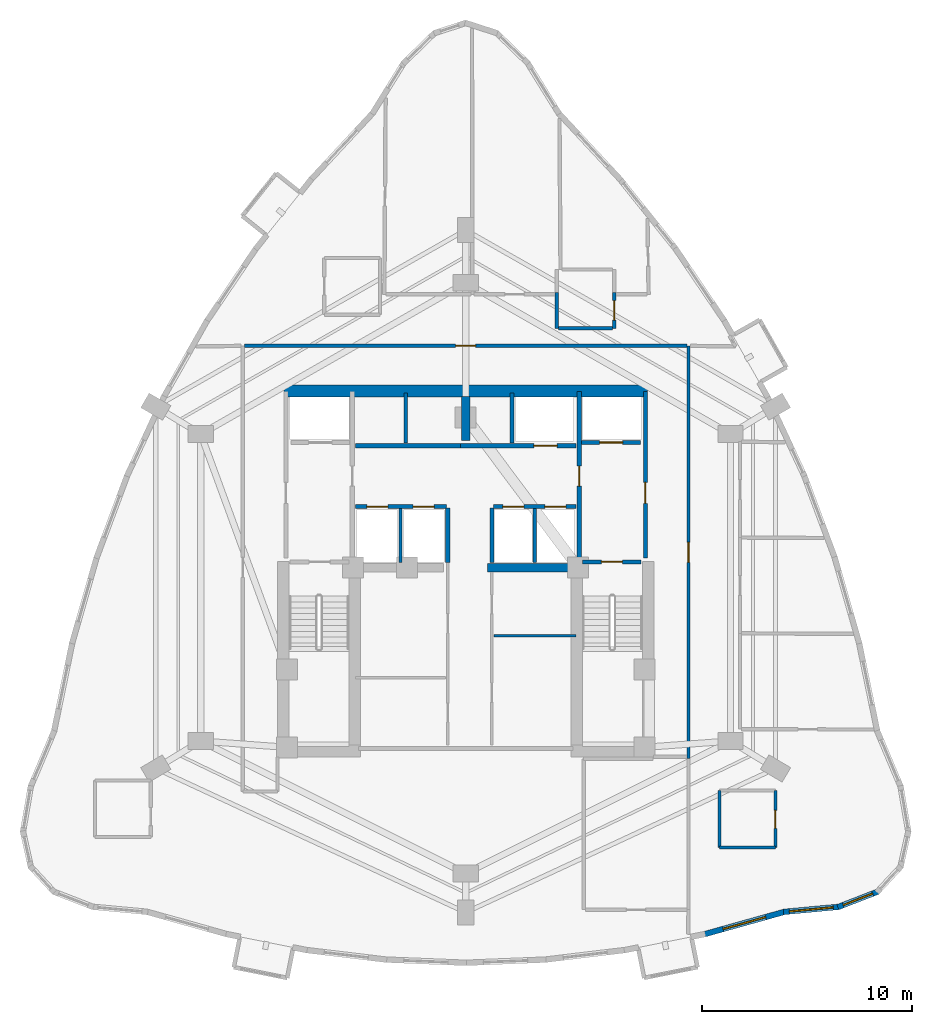
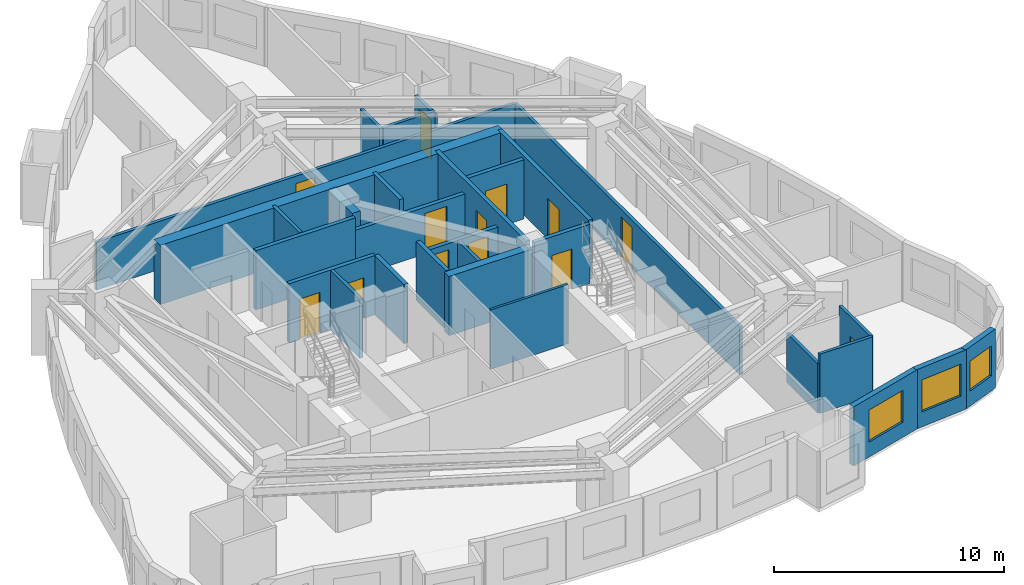
# One storey, part 6 of 9: 29 walls, 13 doors, 3 windows, 16 openings.
"""IFC4 building model written with IfcOpenShell, lengths in metres."""

from ifc_helpers import new_model, si_unit, direction, frame, frame_2d, origin, place, context, subcontext, project, spatial, rectangle, extrude, material, layer, layer_set, type_object, element, fill, save


model = new_model("IFC4")

# Units and contexts
model_context = context("Model", 3, precision=1e-05, world=origin(), true_north=direction((0.0, 1.0)))
body_context = subcontext(model_context, "Body", "Model", "MODEL_VIEW")
ifc_project = project(units=[si_unit("LENGTHUNIT", "METRE"), si_unit("AREAUNIT", "SQUARE_METRE"), si_unit("VOLUMEUNIT", "CUBIC_METRE"), si_unit("PLANEANGLEUNIT", "RADIAN"), si_unit("MASSUNIT", "GRAM", prefix="KILO")], contexts=[model_context])

# Site, building, storey
site_placement = place(None, origin())
site = spatial("IfcSite", under=ifc_project, at=site_placement, CompositionType="ELEMENT")
building_placement = place(site_placement, origin())
building = spatial("IfcBuilding", under=site, at=building_placement, Name="Miruveldt Soraemaru", CompositionType="ELEMENT")
storey_placement = place(building_placement, frame((0.0, 0.0, 180.89990234375)))
storey = spatial("IfcBuildingStorey", under=building, at=storey_placement, Name="L50", CompositionType="ELEMENT", Elevation=180.89990234375)

# Walls
ifc_material_1 = material(Name="Concrete C70/85 (70 MPa)", Category="concrete")
ifc_layer_1 = layer(ifc_material_1, 0.5, Name="Concrete C70/85 (70 MPa)", Category="concrete")
ifc_layer_set_1 = layer_set([ifc_layer_1], Name="Concrete C70/85 (70 MPa)")
wall_type_1 = type_object("IfcWallType", Name="WALL-BW-500", PredefinedType="SHEAR", material=ifc_layer_set_1)
wall_1_placement = place(storey_placement, frame((44.0, 50.10009765625, 0.0), z_axis=(0.0, 0.0, 1.0), x_axis=(0.0, 1.0, 0.0)))
element("IfcWall", 1, at=wall_1_placement, inside=storey, type_object=wall_type_1, Name="L50 Core Buttress Shear Wall BN", PredefinedType="SHEAR", context=body_context, shape_type="SweptSolid", body=[
    extrude(rectangle(XDim=2.099853515625, YDim=0.39990234375, at=frame_2d((1.0498046875, 0.0))), origin(), (0.0, 0.0, 1.0), 3.150146484375),
])
wall_2_placement = place(storey_placement, frame((45.050048828125, 44.050048828125, 0.0), z_axis=(0.0, 0.0, 1.0), x_axis=(1.0, 0.0, 0.0)))
element("IfcWall", 2, at=wall_2_placement, inside=storey, type_object=wall_type_1, Name="L50 Core Buttress Shear Wall BE", PredefinedType="SHEAR", context=body_context, shape_type="SweptSolid", body=[
    extrude(rectangle(XDim=4.199951171875, YDim=0.39990234375, at=frame_2d((2.10009765625, 0.0))), origin(), (0.0, 0.0, 1.0), 3.150146484375),
])
ifc_layer_2 = layer(ifc_material_1, 0.550048828125, Name="Concrete C70/85 (70 MPa)", Category="concrete")
ifc_layer_set_2 = layer_set([ifc_layer_2], Name="Concrete C70/85 (70 MPa)")
wall_type_2 = type_object("IfcWallType", Name="WALL-CW-550", PredefinedType="SHEAR", material=ifc_layer_set_2)
wall_3_placement = place(storey_placement, frame((35.35009765625, 52.449951171875, 0.0), z_axis=(0.0, 0.0, 1.0), x_axis=(1.0, 0.0, 0.0)))
element("IfcWall", 3, at=wall_3_placement, inside=storey, type_object=wall_type_2, Name="L50 Central Core Shear Wall N", PredefinedType="SHEAR", context=body_context, shape_type="SweptSolid", body=[
    extrude(rectangle(XDim=17.2998046875, YDim=0.550048828125, at=frame_2d((8.64990234375, 0.0))), origin(), (0.0, 0.0, 1.0), 3.150146484375),
])

# Wall, opening, window
ifc_material_2 = material(Name="Precast concrete C45/55 (45 MPa)", Category="concrete")
ifc_layer_3 = layer(ifc_material_2, 0.27001953125, Name="Precast concrete C45/55 (45 MPa)", Category="concrete")
ifc_layer_set_3 = layer_set([ifc_layer_3], Name="Precast concrete C45/55 (45 MPa)")
wall_type_3 = type_object("IfcWallType", Name="WALL-EXT-PC270", PredefinedType="SOLIDWALL", material=ifc_layer_set_3)
wall_4_placement = place(storey_placement, frame((55.330810546875, 26.601806640625, 0.0), z_axis=(0.0, 0.0, 1.0), x_axis=(0.962980483018, 0.269571121093, 0.0)))
wall_4 = element("IfcWall", 4, at=wall_4_placement, inside=storey, type_object=wall_type_3, Name="L50 Precast Concrete Facade Wall 28", PredefinedType="SOLIDWALL", context=body_context, shape_type="SweptSolid", body=[
    extrude(rectangle(XDim=4.00390625, YDim=0.27001953125, at=frame_2d((2.001953125, 0.0))), origin(), (0.0, 0.0, 1.0), 3.150146484375),
])
opening_1_placement = place(wall_4_placement, frame((0.951904296875, 0.0, 0.800048828125)))
opening_1 = element("IfcOpeningElement", 5, at=opening_1_placement, cuts=wall_4, Name="Opening WN-1", PredefinedType="OPENING", context=body_context, shape_type="SweptSolid", body=[
    extrude(rectangle(XDim=2.10009765625, YDim=1.699951171875, at=frame_2d((1.050048828125, 0.85009765625))), frame((0.0, 0.14501953125, 0.0), z_axis=(0.0, -1.0, 0.0), x_axis=(1.0, 0.0, 0.0)), (0.0, 0.0, 1.0), 0.2900390625),
])
ifc_material_3 = material(Name="Triple low-e insulated glazing", Category="glass")
window_type_1 = type_object("IfcWindowType", Name="WIN-PUNCH-2100x1700", PartitioningType="SINGLE_PANEL", PredefinedType="WINDOW", material=ifc_material_3)
window_1_placement = place(opening_1_placement, origin())
window_1 = element("IfcWindow", 6, at=window_1_placement, inside=storey, type_object=window_type_1, Name="L50 Punched Triple-Glazed Window 28.1", OverallHeight=1.699951171875, OverallWidth=2.10009765625, PartitioningType="SINGLE_PANEL", PredefinedType="WINDOW", context=body_context, shape_type="SweptSolid", body=[
    extrude(rectangle(XDim=2.10009765625, YDim=1.699951171875, at=frame_2d((1.050048828125, 0.85009765625))), frame((0.0, 0.030029296875, 0.0), z_axis=(0.0, -1.0, 0.0), x_axis=(1.0, 0.0, 0.0)), (0.0, 0.0, 1.0), 0.06005859375),
])
fill(opening_1, window_1)

wall_5_placement = place(storey_placement, frame((59.117919921875, 27.668701171875, 0.0), z_axis=(0.0, 0.0, 1.0), x_axis=(0.99576306711, 0.091956044829, 0.0)))
wall_5 = element("IfcWall", 7, at=wall_5_placement, inside=storey, type_object=wall_type_3, Name="L50 Precast Concrete Facade Wall 29", PredefinedType="SOLIDWALL", context=body_context, shape_type="SweptSolid", body=[
    extrude(rectangle(XDim=2.66552734375, YDim=0.27001953125, at=frame_2d((1.332763671875, 0.0))), origin(), (0.0, 0.0, 1.0), 3.150146484375),
])
opening_2_placement = place(wall_5_placement, frame((0.282958984375, 0.0, 0.800048828125)))
opening_2 = element("IfcOpeningElement", 8, at=opening_2_placement, cuts=wall_5, Name="Opening WN-1", PredefinedType="OPENING", context=body_context, shape_type="SweptSolid", body=[
    extrude(rectangle(XDim=2.10009765625, YDim=1.699951171875, at=frame_2d((1.050048828125, 0.85009765625))), frame((0.0, 0.14501953125, 0.0), z_axis=(0.0, -1.0, 0.0), x_axis=(1.0, 0.0, 0.0)), (0.0, 0.0, 1.0), 0.2900390625),
])
window_2_placement = place(opening_2_placement, origin())
window_2 = element("IfcWindow", 9, at=window_2_placement, inside=storey, type_object=window_type_1, Name="L50 Punched Triple-Glazed Window 29.1", OverallHeight=1.699951171875, OverallWidth=2.10009765625, PartitioningType="SINGLE_PANEL", PredefinedType="WINDOW", context=body_context, shape_type="SweptSolid", body=[
    extrude(rectangle(XDim=2.10009765625, YDim=1.699951171875, at=frame_2d((1.050048828125, 0.85009765625))), frame((0.0, 0.030029296875, 0.0), z_axis=(0.0, -1.0, 0.0), x_axis=(1.0, 0.0, 0.0)), (0.0, 0.0, 1.0), 0.06005859375),
])
fill(opening_2, window_2)

wall_6_placement = place(storey_placement, frame((61.70458984375, 27.89794921875, 0.0), z_axis=(0.0, 0.0, 1.0), x_axis=(0.93231051002, 0.361658834964, 0.0)))
wall_6 = element("IfcWall", 10, at=wall_6_placement, inside=storey, type_object=wall_type_3, Name="L50 Precast Concrete Facade Wall 30", PredefinedType="SOLIDWALL", context=body_context, shape_type="SweptSolid", body=[
    extrude(rectangle(XDim=2.050048828125, YDim=0.27001953125, at=frame_2d((1.02490234375, 0.0))), origin(), (0.0, 0.0, 1.0), 3.150146484375),
])
opening_3_placement = place(wall_6_placement, frame((0.27490234375, 0.0, 0.800048828125)))
opening_3 = element("IfcOpeningElement", 11, at=opening_3_placement, cuts=wall_6, Name="Opening WN-3", PredefinedType="OPENING", context=body_context, shape_type="SweptSolid", body=[
    extrude(rectangle(XDim=1.5, YDim=1.60009765625, at=frame_2d((0.75, 0.800048828125))), frame((0.0, 0.14501953125, 0.0), z_axis=(0.0, -1.0, 0.0), x_axis=(1.0, 0.0, 0.0)), (0.0, 0.0, 1.0), 0.2900390625),
])
window_type_2 = type_object("IfcWindowType", Name="WIN-PUNCH-1500x1600", PartitioningType="SINGLE_PANEL", PredefinedType="WINDOW", material=ifc_material_3)
window_3_placement = place(opening_3_placement, origin())
window_3 = element("IfcWindow", 12, at=window_3_placement, inside=storey, type_object=window_type_2, Name="L50 Punched Triple-Glazed Window 30.1", OverallHeight=1.60009765625, OverallWidth=1.5, PartitioningType="SINGLE_PANEL", PredefinedType="WINDOW", context=body_context, shape_type="SweptSolid", body=[
    extrude(rectangle(XDim=1.5, YDim=1.60009765625, at=frame_2d((0.75, 0.800048828125))), frame((0.0, 0.030029296875, 0.0), z_axis=(0.0, -1.0, 0.0), x_axis=(1.0, 0.0, 0.0)), (0.0, 0.0, 1.0), 0.06005859375),
])
fill(opening_3, window_3)

# Wall
ifc_material_4 = material(Name="Gypsum plasterboard lining", Category="gypsum")
ifc_layer_4 = layer(ifc_material_4, 0.1201171875, Name="Gypsum plasterboard lining", Category="gypsum")
ifc_layer_set_4 = layer_set([ifc_layer_4], Name="Gypsum plasterboard lining")
wall_type_4 = type_object("IfcWallType", Name="WALL-INT-P120", PredefinedType="PARTITIONING", material=ifc_layer_set_4)
wall_7_placement = place(storey_placement, frame((45.35009765625, 40.800048828125, 0.0), z_axis=(0.0, 0.0, 1.0), x_axis=(1.0, 0.0, 0.0)))
element("IfcWall", 13, at=wall_7_placement, inside=storey, type_object=wall_type_4, Name="L50 Core Compartment Wall RL-E2H", PredefinedType="PARTITIONING", context=body_context, shape_type="SweptSolid", body=[
    extrude(rectangle(XDim=3.89990234375, YDim=0.1201171875, at=frame_2d((1.949951171875, 0.0))), origin(), (0.0, 0.0, 1.0), 3.150146484375),
])

# Wall, opening, door
ifc_layer_5 = layer(ifc_material_4, 0.14990234375, Name="Gypsum plasterboard lining", Category="gypsum")
ifc_layer_set_5 = layer_set([ifc_layer_5], Name="Gypsum plasterboard lining")
wall_type_5 = type_object("IfcWallType", Name="WALL-INT-PLUMB", PredefinedType="PLUMBINGWALL", material=ifc_layer_set_5)
wall_8_placement = place(storey_placement, frame((58.72998046875, 30.739013671875, 0.0), z_axis=(0.0, 0.0, 1.0), x_axis=(0.0, 1.0, 0.0)))
wall_8 = element("IfcWall", 14, at=wall_8_placement, inside=storey, type_object=wall_type_5, Name="L50 Partition Wall 31", PredefinedType="PLUMBINGWALL", context=body_context, shape_type="SweptSolid", body=[
    extrude(rectangle(XDim=2.699951171875, YDim=0.14990234375, at=frame_2d((1.35009765625, 0.0))), origin(), (0.0, 0.0, 1.0), 3.150146484375),
])
opening_4_placement = place(wall_8_placement, frame((0.909912109375, 0.0, 0.0)))
opening_4 = element("IfcOpeningElement", 15, at=opening_4_placement, cuts=wall_8, Name="Opening FD3", PredefinedType="OPENING", context=body_context, shape_type="SweptSolid", body=[
    extrude(rectangle(XDim=0.85009765625, YDim=2.10009765625, at=frame_2d((0.425048828125, 1.050048828125))), frame((0.0, 0.0849609375, 0.0), z_axis=(0.0, -1.0, 0.0), x_axis=(1.0, 0.0, 0.0)), (0.0, 0.0, 1.0), 0.169921875),
])
ifc_material_5 = material(Name="Anodised aluminium EN AW-6063 T6", Category="aluminium")
door_type_1 = type_object("IfcDoorType", Name="DOOR-FD3-850", OperationType="NOTDEFINED", PredefinedType="DOOR", material=ifc_material_5)
door_1_placement = place(opening_4_placement, origin())
door_1 = element("IfcDoor", 16, at=door_1_placement, inside=storey, type_object=door_type_1, Name="L50 Unit 5003 BTH Door", OperationType="SINGLE_SWING_RIGHT", OverallHeight=2.10009765625, OverallWidth=0.85009765625, PredefinedType="DOOR", context=body_context, shape_type="SweptSolid", body=[
    extrude(rectangle(XDim=0.85009765625, YDim=2.10009765625, at=frame_2d((0.425048828125, 1.050048828125))), frame((0.0, 0.02490234375, 0.0), z_axis=(0.0, -1.0, 0.0), x_axis=(1.0, 0.0, 0.0)), (0.0, 0.0, 1.0), 0.050048828125),
])
fill(opening_4, door_1)

# Walls
wall_9_placement = place(storey_placement, frame((56.080078125, 33.43896484375, 0.0), z_axis=(0.0, 0.0, 1.0), x_axis=(0.0, -1.0, 0.0)))
element("IfcWall", 17, at=wall_9_placement, inside=storey, type_object=wall_type_5, Name="L50 Partition Wall 33", PredefinedType="PLUMBINGWALL", context=body_context, shape_type="SweptSolid", body=[
    extrude(rectangle(XDim=2.699951171875, YDim=0.14990234375, at=frame_2d((1.35009765625, 0.0))), origin(), (0.0, 0.0, 1.0), 2.63818359375),
])
wall_10_placement = place(storey_placement, frame((56.080078125, 30.739013671875, 0.0), z_axis=(0.0, 0.0, 1.0), x_axis=(1.0, 0.0, 0.0)))
element("IfcWall", 18, at=wall_10_placement, inside=storey, type_object=wall_type_5, Name="L50 Partition Wall 34", PredefinedType="PLUMBINGWALL", context=body_context, shape_type="SweptSolid", body=[
    extrude(rectangle(XDim=2.64990234375, YDim=0.14990234375, at=frame_2d((1.324951171875, 0.0))), origin(), (0.0, 0.0, 1.0), 3.150146484375),
])

# Wall, opening, door
ifc_material_6 = material(Name="Concrete C40/50 (40 MPa)", Category="concrete")
ifc_layer_6 = layer(ifc_material_6, 0.159912109375, Name="Concrete C40/50 (40 MPa)", Category="concrete")
ifc_layer_set_6 = layer_set([ifc_layer_6], Name="Concrete C40/50 (40 MPa)")
wall_type_6 = type_object("IfcWallType", Name="WALL-INT-RC160", PredefinedType="SOLIDWALL", material=ifc_layer_set_6)
wall_11_placement = place(storey_placement, frame((54.52001953125, 54.60009765625, 0.0), z_axis=(0.0, 0.0, 1.0), x_axis=(-1.0, 0.0, 0.0)))
wall_11 = element("IfcWall", 19, at=wall_11_placement, inside=storey, type_object=wall_type_6, Name="L50 Partition Wall 1", PredefinedType="SOLIDWALL", context=body_context, shape_type="SweptSolid", body=[
    extrude(rectangle(XDim=21.0400390625, YDim=0.159912109375, at=frame_2d((10.52001953125, 0.0))), origin(), (0.0, 0.0, 1.0), 2.550048828125),
])
opening_5_placement = place(wall_11_placement, frame((10.044921875, 0.0, 0.0)))
opening_5 = element("IfcOpeningElement", 20, at=opening_5_placement, cuts=wall_11, Name="Opening FD2", PredefinedType="OPENING", context=body_context, shape_type="SweptSolid", body=[
    extrude(rectangle(XDim=0.949951171875, YDim=2.14990234375, at=frame_2d((0.47509765625, 1.074951171875))), frame((0.0, 0.08984375, 0.0), z_axis=(0.0, -1.0, 0.0), x_axis=(1.0, 0.0, 0.0)), (0.0, 0.0, 1.0), 0.179931640625),
])
door_type_2 = type_object("IfcDoorType", Name="DOOR-FD2-950", OperationType="NOTDEFINED", PredefinedType="DOOR", material=ifc_material_5)
door_2_placement = place(opening_5_placement, origin())
door_2 = element("IfcDoor", 21, at=door_2_placement, inside=storey, type_object=door_type_2, Name="L50 Unit 5001 Entrance Fire Door", OperationType="SINGLE_SWING_RIGHT", OverallHeight=2.14990234375, OverallWidth=0.949951171875, PredefinedType="DOOR", context=body_context, shape_type="SweptSolid", body=[
    extrude(rectangle(XDim=0.949951171875, YDim=2.14990234375, at=frame_2d((0.47509765625, 1.074951171875))), frame((0.0, 0.02490234375, 0.0), z_axis=(0.0, -1.0, 0.0), x_axis=(1.0, 0.0, 0.0)), (0.0, 0.0, 1.0), 0.050048828125),
])
fill(opening_5, door_2)

wall_12_placement = place(storey_placement, frame((54.60009765625, 34.9599609375, 0.0), z_axis=(0.0, 0.0, 1.0), x_axis=(0.0, 1.0, 0.0)))
wall_12 = element("IfcWall", 22, at=wall_12_placement, inside=storey, type_object=wall_type_6, Name="L50 Partition Wall 5", PredefinedType="SOLIDWALL", context=body_context, shape_type="SweptSolid", body=[
    extrude(rectangle(XDim=19.636962890625, YDim=0.159912109375, at=frame_2d((9.818359375, 0.0))), origin(), (0.0, 0.0, 1.0), 2.550048828125),
])
opening_6_placement = place(wall_12_placement, frame((9.343994140625, 0.0, 0.0)))
opening_6 = element("IfcOpeningElement", 23, at=opening_6_placement, cuts=wall_12, Name="Opening FD2", PredefinedType="OPENING", context=body_context, shape_type="SweptSolid", body=[
    extrude(rectangle(XDim=0.949951171875, YDim=2.14990234375, at=frame_2d((0.47509765625, 1.074951171875))), frame((0.0, 0.08984375, 0.0), z_axis=(0.0, -1.0, 0.0), x_axis=(1.0, 0.0, 0.0)), (0.0, 0.0, 1.0), 0.179931640625),
])
door_3_placement = place(opening_6_placement, origin())
door_3 = element("IfcDoor", 24, at=door_3_placement, inside=storey, type_object=door_type_2, Name="L50 Unit 5003 Entrance Fire Door", OperationType="SINGLE_SWING_LEFT", OverallHeight=2.14990234375, OverallWidth=0.949951171875, PredefinedType="DOOR", context=body_context, shape_type="SweptSolid", body=[
    extrude(rectangle(XDim=0.949951171875, YDim=2.14990234375, at=frame_2d((0.47509765625, 1.074951171875))), frame((0.0, 0.02490234375, 0.0), z_axis=(0.0, -1.0, 0.0), x_axis=(1.0, 0.0, 0.0)), (0.0, 0.0, 1.0), 0.050048828125),
])
fill(opening_6, door_3)

wall_13_placement = place(storey_placement, frame((51.074951171875, 55.429931640625, 0.0), z_axis=(0.0, 0.0, 1.0), x_axis=(0.0, 1.0, 0.0)))
wall_13 = element("IfcWall", 25, at=wall_13_placement, inside=storey, type_object=wall_type_6, Name="L50 Partition Wall 10", PredefinedType="SOLIDWALL", context=body_context, shape_type="SweptSolid", body=[
    extrude(rectangle(XDim=1.7099609375, YDim=0.159912109375, at=frame_2d((0.85498046875, 0.0))), origin(), (0.0, 0.0, 1.0), 2.63818359375),
])
opening_7_placement = place(wall_13_placement, frame((0.39501953125, 0.0, 0.0)))
opening_7 = element("IfcOpeningElement", 26, at=opening_7_placement, cuts=wall_13, Name="Opening D3A", PredefinedType="OPENING", context=body_context, shape_type="SweptSolid", body=[
    extrude(rectangle(XDim=0.919921875, YDim=2.10009765625, at=frame_2d((0.4599609375, 1.050048828125))), frame((0.0, 0.08984375, 0.0), z_axis=(0.0, -1.0, 0.0), x_axis=(1.0, 0.0, 0.0)), (0.0, 0.0, 1.0), 0.179931640625),
])
door_type_3 = type_object("IfcDoorType", Name="DOOR-INT-920", OperationType="NOTDEFINED", PredefinedType="DOOR", material=ifc_material_5)
door_4_placement = place(opening_7_placement, origin())
door_4 = element("IfcDoor", 27, at=door_4_placement, inside=storey, type_object=door_type_3, Name="L50 Unit 5001 KIT Door", OperationType="SINGLE_SWING_RIGHT", OverallHeight=2.10009765625, OverallWidth=0.919921875, PredefinedType="DOOR", context=body_context, shape_type="SweptSolid", body=[
    extrude(rectangle(XDim=0.919921875, YDim=2.10009765625, at=frame_2d((0.4599609375, 1.050048828125))), frame((0.0, 0.02490234375, 0.0), z_axis=(0.0, -1.0, 0.0), x_axis=(1.0, 0.0, 0.0)), (0.0, 0.0, 1.0), 0.050048828125),
])
fill(opening_7, door_4)

# Walls
wall_14_placement = place(storey_placement, frame((48.405029296875, 55.429931640625, 0.0), z_axis=(0.0, 0.0, 1.0), x_axis=(1.0, 0.0, 0.0)))
element("IfcWall", 28, at=wall_14_placement, inside=storey, type_object=wall_type_6, Name="L50 Partition Wall 12", PredefinedType="SOLIDWALL", context=body_context, shape_type="SweptSolid", body=[
    extrude(rectangle(XDim=2.590087890625, YDim=0.159912109375, at=frame_2d((1.294921875, 0.0))), origin(), (0.0, 0.0, 1.0), 2.88818359375),
])
wall_15_placement = place(storey_placement, frame((40.89990234375, 44.300048828125, 0.0), z_axis=(0.0, 0.0, 1.0), x_axis=(0.0, 1.0, 0.0)))
element("IfcWall", 29, at=wall_15_placement, inside=storey, type_object=wall_type_6, Name="L50 Core Compartment Wall PLM-DW", PredefinedType="SOLIDWALL", context=body_context, shape_type="SweptSolid", body=[
    extrude(rectangle(XDim=2.550048828125, YDim=0.159912109375, at=frame_2d((1.27490234375, 0.0))), origin(), (0.0, 0.0, 1.0), 3.150146484375),
])
wall_16_placement = place(storey_placement, frame((47.280029296875, 44.300048828125, 0.0), z_axis=(0.0, 0.0, 1.0), x_axis=(0.0, 1.0, 0.0)))
element("IfcWall", 30, at=wall_16_placement, inside=storey, type_object=wall_type_6, Name="L50 Core Compartment Wall PLM-DE", PredefinedType="SOLIDWALL", context=body_context, shape_type="SweptSolid", body=[
    extrude(rectangle(XDim=2.550048828125, YDim=0.159912109375, at=frame_2d((1.27490234375, 0.0))), origin(), (0.0, 0.0, 1.0), 2.488037109375),
])
wall_17_placement = place(storey_placement, frame((41.14990234375, 49.97998046875, 0.0), z_axis=(0.0, 0.0, 1.0), x_axis=(0.0, 1.0, 0.0)))
element("IfcWall", 31, at=wall_17_placement, inside=storey, type_object=wall_type_6, Name="L50 Core Compartment Wall PLH-DIV1", PredefinedType="SOLIDWALL", context=body_context, shape_type="SweptSolid", body=[
    extrude(rectangle(XDim=2.3701171875, YDim=0.159912109375, at=frame_2d((1.18505859375, 0.0))), origin(), (0.0, 0.0, 1.0), 3.150146484375),
])
wall_18_placement = place(storey_placement, frame((48.324951171875, 57.139892578125, 0.0), z_axis=(0.0, 0.0, 1.0), x_axis=(0.0, -1.0, 0.0)))
element("IfcWall", 32, at=wall_18_placement, inside=storey, type_object=wall_type_6, Name="L50 Partition Wall 11", PredefinedType="SOLIDWALL", context=body_context, shape_type="SweptSolid", body=[
    extrude(rectangle(XDim=1.7099609375, YDim=0.159912109375, at=frame_2d((0.85498046875, 0.0))), origin(), (0.0, 0.0, 1.0), 2.88818359375),
])

# Wall, opening, door
ifc_layer_7 = layer(ifc_material_6, 0.199951171875, Name="Concrete C40/50 (40 MPa)", Category="concrete")
ifc_layer_set_7 = layer_set([ifc_layer_7], Name="Concrete C40/50 (40 MPa)")
wall_type_7 = type_object("IfcWallType", Name="WALL-INT-RC200", PredefinedType="SOLIDWALL", material=ifc_layer_set_7)
wall_19_placement = place(storey_placement, frame((52.550048828125, 44.5, 0.0), z_axis=(0.0, 0.0, 1.0), x_axis=(0.0, 1.0, 0.0)))
wall_19 = element("IfcWall", 33, at=wall_19_placement, inside=storey, type_object=wall_type_7, Name="L50 Core Compartment Wall FFE-OUT", PredefinedType="SOLIDWALL", context=body_context, shape_type="SweptSolid", body=[
    extrude(rectangle(XDim=7.919921875, YDim=0.199951171875, at=frame_2d((3.9599609375, 0.0))), origin(), (0.0, 0.0, 1.0), 3.150146484375),
])
opening_8_placement = place(wall_19_placement, frame((2.60009765625, 0.0, 0.0)))
opening_8 = element("IfcOpeningElement", 34, at=opening_8_placement, cuts=wall_19, Name="Opening FD1", PredefinedType="OPENING", context=body_context, shape_type="SweptSolid", body=[
    extrude(rectangle(XDim=1.0, YDim=2.14990234375, at=frame_2d((0.5, 1.074951171875))), frame((0.0, 0.10986328125, 0.0), z_axis=(0.0, -1.0, 0.0), x_axis=(1.0, 0.0, 0.0)), (0.0, 0.0, 1.0), 0.219970703125),
])
door_type_4 = type_object("IfcDoorType", Name="DOOR-FD1-1000", OperationType="NOTDEFINED", PredefinedType="DOOR", material=ifc_material_5)
door_5_placement = place(opening_8_placement, frame((1.0, 0.0, 0.0), z_axis=(0.0, 0.0, 1.0), x_axis=(-1.0, 0.0, 0.0)))
door_5 = element("IfcDoor", 35, at=door_5_placement, inside=storey, type_object=door_type_4, Name="L50 East Firefighting Lobby Exit Door", OperationType="SINGLE_SWING_RIGHT", OverallHeight=2.14990234375, OverallWidth=1.0, PredefinedType="DOOR", context=body_context, shape_type="SweptSolid", body=[
    extrude(rectangle(XDim=1.0, YDim=2.14990234375, at=frame_2d((0.5, 1.074951171875))), frame((0.0, 0.02490234375, 0.0), z_axis=(0.0, -1.0, 0.0), x_axis=(1.0, 0.0, 0.0)), (0.0, 0.0, 1.0), 0.050048828125),
])
fill(opening_8, door_5)

wall_20_placement = place(storey_placement, frame((49.39990234375, 44.5, 0.0), z_axis=(0.0, 0.0, 1.0), x_axis=(0.0, 1.0, 0.0)))
wall_20 = element("IfcWall", 36, at=wall_20_placement, inside=storey, type_object=wall_type_7, Name="L50 Core Compartment Wall FFE-IN", PredefinedType="SOLIDWALL", context=body_context, shape_type="SweptSolid", body=[
    extrude(rectangle(XDim=7.919921875, YDim=0.199951171875, at=frame_2d((3.9599609375, 0.0))), origin(), (0.0, 0.0, 1.0), 3.150146484375),
])
opening_9_placement = place(wall_20_placement, frame((3.425048828125, 0.0, 0.0)))
opening_9 = element("IfcOpeningElement", 37, at=opening_9_placement, cuts=wall_20, Name="Opening FD2", PredefinedType="OPENING", context=body_context, shape_type="SweptSolid", body=[
    extrude(rectangle(XDim=0.949951171875, YDim=2.14990234375, at=frame_2d((0.47509765625, 1.074951171875))), frame((0.0, 0.10986328125, 0.0), z_axis=(0.0, -1.0, 0.0), x_axis=(1.0, 0.0, 0.0)), (0.0, 0.0, 1.0), 0.219970703125),
])
door_6_placement = place(opening_9_placement, origin())
door_6 = element("IfcDoor", 38, at=door_6_placement, inside=storey, type_object=door_type_2, Name="L50 Lift Lobby to East Fire Lobby Door", OperationType="SINGLE_SWING_LEFT", OverallHeight=2.14990234375, OverallWidth=0.949951171875, PredefinedType="DOOR", context=body_context, shape_type="SweptSolid", body=[
    extrude(rectangle(XDim=0.949951171875, YDim=2.14990234375, at=frame_2d((0.47509765625, 1.074951171875))), frame((0.0, 0.02490234375, 0.0), z_axis=(0.0, -1.0, 0.0), x_axis=(1.0, 0.0, 0.0)), (0.0, 0.0, 1.0), 0.050048828125),
])
fill(opening_9, door_6)

wall_21_placement = place(storey_placement, frame((43.75, 49.85009765625, 0.0), z_axis=(0.0, 0.0, 1.0), x_axis=(1.0, 0.0, 0.0)))
wall_21 = element("IfcWall", 39, at=wall_21_placement, inside=storey, type_object=wall_type_7, Name="L50 Core Compartment Wall ROWA-SE", PredefinedType="SOLIDWALL", context=body_context, shape_type="SweptSolid", body=[
    extrude(rectangle(XDim=5.5, YDim=0.199951171875, at=frame_2d((2.75, 0.0))), origin(), (0.0, 0.0, 1.0), 2.488037109375),
])
opening_10_placement = place(wall_21_placement, frame((3.5, 0.0, 0.0)))
opening_10 = element("IfcOpeningElement", 40, at=opening_10_placement, cuts=wall_21, Name="Opening LD2", PredefinedType="OPENING", context=body_context, shape_type="SweptSolid", body=[
    extrude(rectangle(XDim=1.10009765625, YDim=2.14990234375, at=frame_2d((0.550048828125, 1.074951171875))), frame((0.0, 0.10986328125, 0.0), z_axis=(0.0, -1.0, 0.0), x_axis=(1.0, 0.0, 0.0)), (0.0, 0.0, 1.0), 0.219970703125),
])
door_type_5 = type_object("IfcDoorType", Name="DOOR-LD2-1100", OperationType="SLIDING_TO_LEFT", PredefinedType="DOOR", material=ifc_material_5)
door_7_placement = place(opening_10_placement, origin())
door_7 = element("IfcDoor", 41, at=door_7_placement, inside=storey, type_object=door_type_5, Name="L50 SL-1 Landing Door", OperationType="SLIDING_TO_LEFT", OverallHeight=2.14990234375, OverallWidth=1.10009765625, PredefinedType="DOOR", context=body_context, shape_type="SweptSolid", body=[
    extrude(rectangle(XDim=1.10009765625, YDim=2.14990234375, at=frame_2d((0.550048828125, 1.074951171875))), frame((0.0, 0.02490234375, 0.0), z_axis=(0.0, -1.0, 0.0), x_axis=(1.0, 0.0, 0.0)), (0.0, 0.0, 1.0), 0.050048828125),
])
fill(opening_10, door_7)

# Wall, openings, doors
wall_22_placement = place(storey_placement, frame((38.75, 46.949951171875, 0.0), z_axis=(0.0, 0.0, 1.0), x_axis=(1.0, 0.0, 0.0)))
wall_22 = element("IfcWall", 42, at=wall_22_placement, inside=storey, type_object=wall_type_7, Name="L50 Core Compartment Wall MBW-N", PredefinedType="SOLIDWALL", context=body_context, shape_type="SweptSolid", body=[
    extrude(rectangle(XDim=4.330078125, YDim=0.199951171875, at=frame_2d((2.1650390625, 0.0))), origin(), (0.0, 0.0, 1.0), 3.150146484375),
])
opening_11_placement = place(wall_22_placement, frame((0.550048828125, 0.0, 0.0)))
opening_11 = element("IfcOpeningElement", 43, at=opening_11_placement, cuts=wall_22, Name="Opening LD1B", PredefinedType="OPENING", context=body_context, shape_type="SweptSolid", body=[
    extrude(rectangle(XDim=1.0, YDim=2.14990234375, at=frame_2d((0.5, 1.074951171875))), frame((0.0, 0.10986328125, 0.0), z_axis=(0.0, -1.0, 0.0), x_axis=(1.0, 0.0, 0.0)), (0.0, 0.0, 1.0), 0.219970703125),
])
opening_12_placement = place(wall_22_placement, frame((2.75, 0.0, 0.0)))
opening_12 = element("IfcOpeningElement", 44, at=opening_12_placement, cuts=wall_22, Name="Opening LD1B", PredefinedType="OPENING", context=body_context, shape_type="SweptSolid", body=[
    extrude(rectangle(XDim=1.0, YDim=2.14990234375, at=frame_2d((0.5, 1.074951171875))), frame((0.0, 0.10986328125, 0.0), z_axis=(0.0, -1.0, 0.0), x_axis=(1.0, 0.0, 0.0)), (0.0, 0.0, 1.0), 0.219970703125),
])
door_type_6 = type_object("IfcDoorType", Name="DOOR-LD1-1000", OperationType="SLIDING_TO_LEFT", PredefinedType="DOOR", material=ifc_material_5)
door_8_placement = place(opening_11_placement, origin())
door_8 = element("IfcDoor", 45, at=door_8_placement, inside=storey, type_object=door_type_6, Name="L50 PL-M1 Landing Door", OperationType="SLIDING_TO_LEFT", OverallHeight=2.14990234375, OverallWidth=1.0, PredefinedType="DOOR", context=body_context, shape_type="SweptSolid", body=[
    extrude(rectangle(XDim=1.0, YDim=2.14990234375, at=frame_2d((0.5, 1.074951171875))), frame((0.0, 0.02490234375, 0.0), z_axis=(0.0, -1.0, 0.0), x_axis=(1.0, 0.0, 0.0)), (0.0, 0.0, 1.0), 0.050048828125),
])
fill(opening_11, door_8)
door_9_placement = place(opening_12_placement, origin())
door_9 = element("IfcDoor", 46, at=door_9_placement, inside=storey, type_object=door_type_6, Name="L50 PL-M2 Landing Door", OperationType="SLIDING_TO_LEFT", OverallHeight=2.14990234375, OverallWidth=1.0, PredefinedType="DOOR", context=body_context, shape_type="SweptSolid", body=[
    extrude(rectangle(XDim=1.0, YDim=2.14990234375, at=frame_2d((0.5, 1.074951171875))), frame((0.0, 0.02490234375, 0.0), z_axis=(0.0, -1.0, 0.0), x_axis=(1.0, 0.0, 0.0)), (0.0, 0.0, 1.0), 0.050048828125),
])
fill(opening_12, door_9)

wall_23_placement = place(storey_placement, frame((45.320068359375, 46.949951171875, 0.0), z_axis=(0.0, 0.0, 1.0), x_axis=(1.0, 0.0, 0.0)))
wall_23 = element("IfcWall", 47, at=wall_23_placement, inside=storey, type_object=wall_type_7, Name="L50 Core Compartment Wall MBE-N", PredefinedType="SOLIDWALL", context=body_context, shape_type="SweptSolid", body=[
    extrude(rectangle(XDim=3.929931640625, YDim=0.199951171875, at=frame_2d((1.96484375, 0.0))), origin(), (0.0, 0.0, 1.0), 2.488037109375),
])
opening_13_placement = place(wall_23_placement, frame((0.449951171875, 0.0, 0.0)))
opening_13 = element("IfcOpeningElement", 48, at=opening_13_placement, cuts=wall_23, Name="Opening LD1B", PredefinedType="OPENING", context=body_context, shape_type="SweptSolid", body=[
    extrude(rectangle(XDim=1.0, YDim=2.14990234375, at=frame_2d((0.5, 1.074951171875))), frame((0.0, 0.10986328125, 0.0), z_axis=(0.0, -1.0, 0.0), x_axis=(1.0, 0.0, 0.0)), (0.0, 0.0, 1.0), 0.219970703125),
])
opening_14_placement = place(wall_23_placement, frame((2.449951171875, 0.0, 0.0)))
opening_14 = element("IfcOpeningElement", 49, at=opening_14_placement, cuts=wall_23, Name="Opening LD1B", PredefinedType="OPENING", context=body_context, shape_type="SweptSolid", body=[
    extrude(rectangle(XDim=1.0, YDim=2.14990234375, at=frame_2d((0.5, 1.074951171875))), frame((0.0, 0.10986328125, 0.0), z_axis=(0.0, -1.0, 0.0), x_axis=(1.0, 0.0, 0.0)), (0.0, 0.0, 1.0), 0.219970703125),
])
door_10_placement = place(opening_13_placement, origin())
door_10 = element("IfcDoor", 50, at=door_10_placement, inside=storey, type_object=door_type_6, Name="L50 PL-M3 Landing Door", OperationType="SLIDING_TO_LEFT", OverallHeight=2.14990234375, OverallWidth=1.0, PredefinedType="DOOR", context=body_context, shape_type="SweptSolid", body=[
    extrude(rectangle(XDim=1.0, YDim=2.14990234375, at=frame_2d((0.5, 1.074951171875))), frame((0.0, 0.02490234375, 0.0), z_axis=(0.0, -1.0, 0.0), x_axis=(1.0, 0.0, 0.0)), (0.0, 0.0, 1.0), 0.050048828125),
])
fill(opening_13, door_10)
door_11_placement = place(opening_14_placement, origin())
door_11 = element("IfcDoor", 51, at=door_11_placement, inside=storey, type_object=door_type_6, Name="L50 PL-M4 Landing Door", OperationType="SLIDING_TO_LEFT", OverallHeight=2.14990234375, OverallWidth=1.0, PredefinedType="DOOR", context=body_context, shape_type="SweptSolid", body=[
    extrude(rectangle(XDim=1.0, YDim=2.14990234375, at=frame_2d((0.5, 1.074951171875))), frame((0.0, 0.02490234375, 0.0), z_axis=(0.0, -1.0, 0.0), x_axis=(1.0, 0.0, 0.0)), (0.0, 0.0, 1.0), 0.050048828125),
])
fill(opening_14, door_11)

# Wall, opening, door
wall_24_placement = place(storey_placement, frame((49.550048828125, 44.320068359375, 0.0), z_axis=(0.0, 0.0, 1.0), x_axis=(1.0, 0.0, 0.0)))
wall_24 = element("IfcWall", 52, at=wall_24_placement, inside=storey, type_object=wall_type_7, Name="L50 Core Compartment Wall ST2-N", PredefinedType="SOLIDWALL", context=body_context, shape_type="SweptSolid", body=[
    extrude(rectangle(XDim=2.800048828125, YDim=0.199951171875, at=frame_2d((1.39990234375, 0.0))), origin(), (0.0, 0.0, 1.0), 3.150146484375),
])
opening_15_placement = place(wall_24_placement, frame((0.89990234375, 0.0, 0.0)))
opening_15 = element("IfcOpeningElement", 53, at=opening_15_placement, cuts=wall_24, Name="Opening FD1", PredefinedType="OPENING", context=body_context, shape_type="SweptSolid", body=[
    extrude(rectangle(XDim=1.0, YDim=2.14990234375, at=frame_2d((0.5, 1.074951171875))), frame((0.0, 0.10986328125, 0.0), z_axis=(0.0, -1.0, 0.0), x_axis=(1.0, 0.0, 0.0)), (0.0, 0.0, 1.0), 0.219970703125),
])
door_12_placement = place(opening_15_placement, frame((1.0, 0.0, 0.0), z_axis=(0.0, 0.0, 1.0), x_axis=(-1.0, 0.0, 0.0)))
door_12 = element("IfcDoor", 54, at=door_12_placement, inside=storey, type_object=door_type_4, Name="L50 Stair ST-2 Fire Door", OperationType="SINGLE_SWING_RIGHT", OverallHeight=2.14990234375, OverallWidth=1.0, PredefinedType="DOOR", context=body_context, shape_type="SweptSolid", body=[
    extrude(rectangle(XDim=1.0, YDim=2.14990234375, at=frame_2d((0.5, 1.074951171875))), frame((0.0, 0.02490234375, 0.0), z_axis=(0.0, -1.0, 0.0), x_axis=(1.0, 0.0, 0.0)), (0.0, 0.0, 1.0), 0.050048828125),
])
fill(opening_15, door_12)

wall_25_placement = place(storey_placement, frame((49.52001953125, 50.0, 0.0), z_axis=(0.0, 0.0, 1.0), x_axis=(1.0, 0.0, 0.0)))
wall_25 = element("IfcWall", 55, at=wall_25_placement, inside=storey, type_object=wall_type_7, Name="L50 Core Compartment Wall FFL2-S", PredefinedType="SOLIDWALL", context=body_context, shape_type="SweptSolid", body=[
    extrude(rectangle(XDim=2.800048828125, YDim=0.199951171875, at=frame_2d((1.39990234375, 0.0))), origin(), (0.0, 0.0, 1.0), 3.150146484375),
])
opening_16_placement = place(wall_25_placement, frame((0.85009765625, 0.0, 0.0)))
opening_16 = element("IfcOpeningElement", 56, at=opening_16_placement, cuts=wall_25, Name="Opening LD2", PredefinedType="OPENING", context=body_context, shape_type="SweptSolid", body=[
    extrude(rectangle(XDim=1.10009765625, YDim=2.14990234375, at=frame_2d((0.550048828125, 1.074951171875))), frame((0.0, 0.10986328125, 0.0), z_axis=(0.0, -1.0, 0.0), x_axis=(1.0, 0.0, 0.0)), (0.0, 0.0, 1.0), 0.219970703125),
])
door_13_placement = place(opening_16_placement, origin())
door_13 = element("IfcDoor", 57, at=door_13_placement, inside=storey, type_object=door_type_5, Name="L50 FFL-2 Landing Door", OperationType="SLIDING_TO_LEFT", OverallHeight=2.14990234375, OverallWidth=1.10009765625, PredefinedType="DOOR", context=body_context, shape_type="SweptSolid", body=[
    extrude(rectangle(XDim=1.10009765625, YDim=2.14990234375, at=frame_2d((0.550048828125, 1.074951171875))), frame((0.0, 0.02490234375, 0.0), z_axis=(0.0, -1.0, 0.0), x_axis=(1.0, 0.0, 0.0)), (0.0, 0.0, 1.0), 0.050048828125),
])
fill(opening_16, door_13)

# Walls
wall_26_placement = place(storey_placement, frame((38.75, 49.85009765625, 0.0), z_axis=(0.0, 0.0, 1.0), x_axis=(1.0, 0.0, 0.0)))
element("IfcWall", 58, at=wall_26_placement, inside=storey, type_object=wall_type_7, Name="L50 Core Compartment Wall ROWA-SW", PredefinedType="SOLIDWALL", context=body_context, shape_type="SweptSolid", body=[
    extrude(rectangle(XDim=5.0, YDim=0.199951171875, at=frame_2d((2.5, 0.0))), origin(), (0.0, 0.0, 1.0), 3.150146484375),
])
for number, where, z_axis, x_axis, name in (
    (59, (43.14990234375, 44.300048828125, 0.0), (0.0, 0.0, 1.0), (0.0, 1.0, 0.0), "L50 Core Compartment Wall SP-WB"),
    (60, (45.25, 44.300048828125, 0.0), (0.0, 0.0, 1.0), (0.0, 1.0, 0.0), "L50 Core Compartment Wall SP-EB"),
):
    element("IfcWall", number, at=place(storey_placement, frame(where, z_axis=z_axis, x_axis=x_axis)), inside=storey, type_object=wall_type_7, Name=name, PredefinedType="SOLIDWALL", context=body_context, shape_type="SweptSolid", body=[
        extrude(rectangle(XDim=2.579833984375, YDim=0.199951171875, at=frame_2d((1.2900390625, 0.0))), origin(), (0.0, 0.0, 1.0), 3.150146484375),
    ])
wall_27_placement = place(storey_placement, frame((46.199951171875, 49.97998046875, 0.0), z_axis=(0.0, 0.0, 1.0), x_axis=(0.0, 1.0, 0.0)))
element("IfcWall", 61, at=wall_27_placement, inside=storey, type_object=wall_type_7, Name="L50 Core Compartment Wall PLH-SL-DIV", PredefinedType="SOLIDWALL", context=body_context, shape_type="SweptSolid", body=[
    extrude(rectangle(XDim=2.3701171875, YDim=0.199951171875, at=frame_2d((1.18505859375, 0.0))), origin(), (0.0, 0.0, 1.0), 3.150146484375),
])

save(model, "model.ifc")
